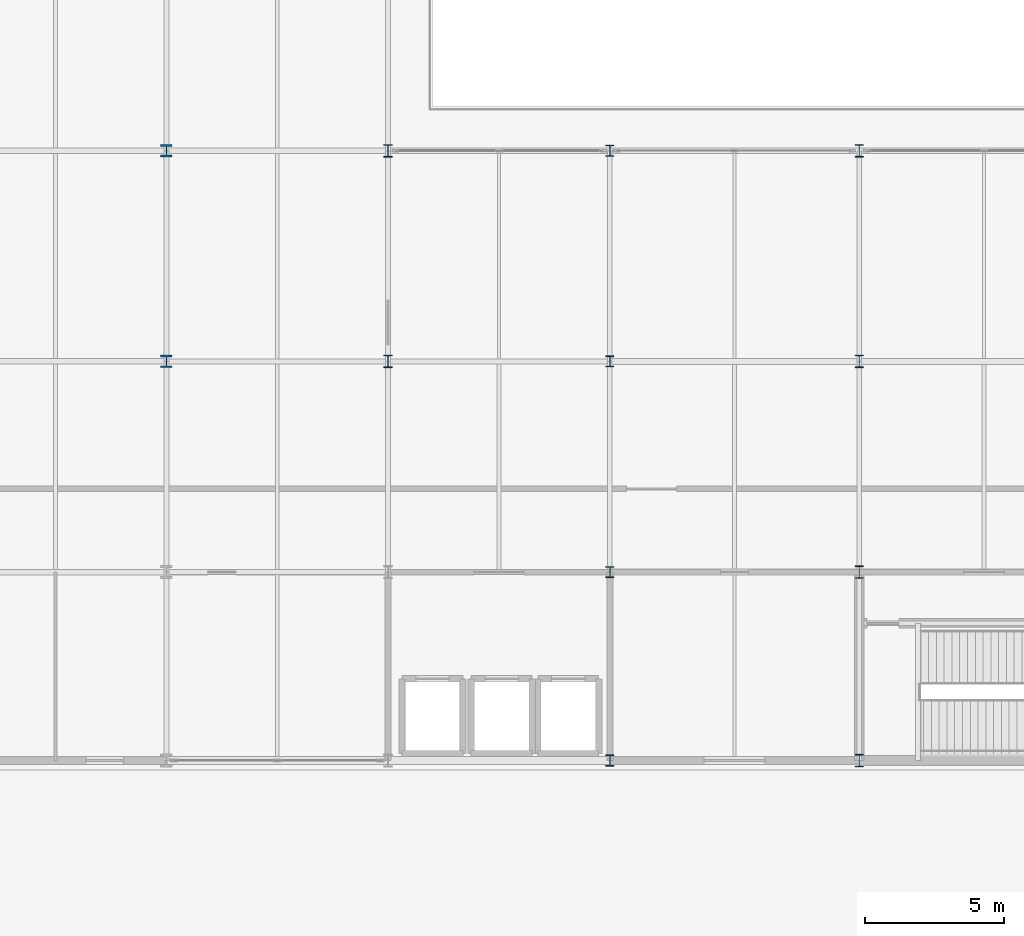
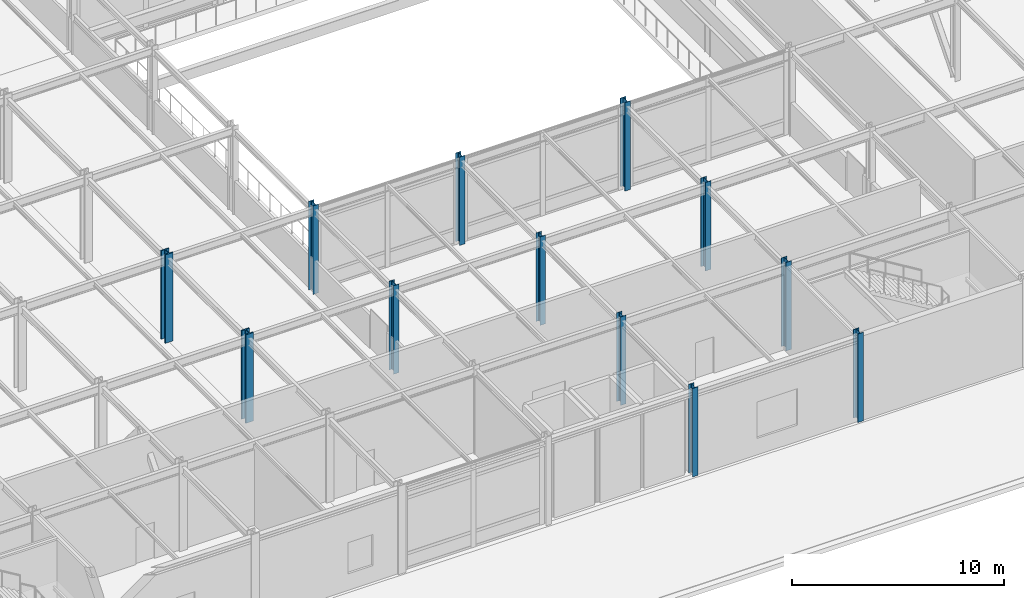
# One storey, part 6 of 113: 12 columns.
"""IFC4 building model written with IfcOpenShell, lengths in metres."""

from ifc_helpers import new_model, si_unit, direction, frame, origin, origin_2d, place, context, subcontext, project, spatial, i_section, extrude, material, material_profile, profile_set, type_object, element, save


model = new_model("IFC4")

# Units and contexts
model_context = context("Model", 3, precision=1e-05, world=origin(), true_north=direction((0.0, 1.0)))
body_context = subcontext(model_context, "Body", "Model", "MODEL_VIEW")
ifc_project = project(units=[si_unit("LENGTHUNIT", "METRE"), si_unit("AREAUNIT", "SQUARE_METRE"), si_unit("VOLUMEUNIT", "CUBIC_METRE"), si_unit("PLANEANGLEUNIT", "RADIAN"), si_unit("MASSUNIT", "GRAM", prefix="KILO")], contexts=[model_context])

# Site, building, storey
site_placement = place(None, origin())
site = spatial("IfcSite", under=ifc_project, at=site_placement, CompositionType="ELEMENT")
building_placement = place(site_placement, origin())
building = spatial("IfcBuilding", under=site, at=building_placement, Name="Shalkamar Park Central Library", CompositionType="ELEMENT")
storey_placement = place(building_placement, frame((0.0, 0.0, 5.39990234375)))
storey = spatial("IfcBuildingStorey", under=building, at=storey_placement, Name="L02", CompositionType="ELEMENT", Elevation=5.39990234375)

# Columns
ifc_material = material(Name="Steel S355", Category="steel")
ifc_material_profile_1 = material_profile(ifc_material, i_section(OverallWidth=0.41796875, OverallDepth=0.455078125, WebThickness=0.0419921875, FlangeThickness=0.067626953125, FilletRadius=0.014892578125, at=origin_2d()), Name="HD 400x551")
ifc_profile_set_1 = profile_set([ifc_material_profile_1], Name="Steel S355")
column_type_1 = type_object("IfcColumnType", Name="Column Steel HD400x551", PredefinedType="COLUMN", material=ifc_profile_set_1)
for number, where, z_axis, x_axis, name in (
    (1, (221.0, 262.800048828125, 0.0), (0.0, 0.0, 1.0), (1.0, 0.0, 0.0), "Column 14/D (L02)"),
    (2, (221.0, 270.39990234375, 0.0), (0.0, 0.0, 1.0), (1.0, 0.0, 0.0), "Column 14/E (L02)"),
):
    element("IfcColumn", number, at=place(storey_placement, frame(where, z_axis=z_axis, x_axis=x_axis)), inside=storey, type_object=column_type_1, Name=name, PredefinedType="COLUMN", context=body_context, shape_type="SweptSolid", body=[
        extrude(i_section(OverallWidth=0.41796875, OverallDepth=0.455078125, WebThickness=0.0419921875, FlangeThickness=0.067626953125, FilletRadius=0.014892578125, at=origin_2d()), origin(), (0.0, 0.0, 1.0), 5.10009765625),
    ])
ifc_material_profile_2 = material_profile(ifc_material, i_section(OverallWidth=0.300048828125, OverallDepth=0.39990234375, WebThickness=0.013427734375, FlangeThickness=0.02392578125, FilletRadius=0.027099609375, at=origin_2d()), Name="HEB 400")
ifc_profile_set_2 = profile_set([ifc_material_profile_2], Name="Steel S355")
column_type_2 = type_object("IfcColumnType", Name="Column Steel HEB400", PredefinedType="COLUMN", material=ifc_profile_set_2)
for number, where, z_axis, x_axis, name in (
    (3, (237.0, 248.39990234375, 0.0), (0.0, 0.0, 1.0), (1.0, 0.0, 0.0), "Column 16/B (L02)"),
    (4, (237.0, 255.199951171875, 0.0), (0.0, 0.0, 1.0), (1.0, 0.0, 0.0), "Column 16/C (L02)"),
    (5, (237.0, 262.800048828125, 0.0), (0.0, 0.0, 1.0), (1.0, 0.0, 0.0), "Column 16/D (L02)"),
    (6, (237.0, 270.39990234375, 0.0), (0.0, 0.0, 1.0), (1.0, 0.0, 0.0), "Column 16/E (L02)"),
):
    element("IfcColumn", number, at=place(storey_placement, frame(where, z_axis=z_axis, x_axis=x_axis)), inside=storey, type_object=column_type_2, Name=name, PredefinedType="COLUMN", context=body_context, shape_type="SweptSolid", body=[
        extrude(i_section(OverallWidth=0.300048828125, OverallDepth=0.39990234375, WebThickness=0.013427734375, FlangeThickness=0.02392578125, FilletRadius=0.027099609375, at=origin_2d()), origin(), (0.0, 0.0, 1.0), 5.10009765625),
    ])
ifc_material_profile_3 = material_profile(ifc_material, i_section(OverallWidth=0.300048828125, OverallDepth=0.449951171875, WebThickness=0.013916015625, FlangeThickness=0.02587890625, FilletRadius=0.027099609375, at=origin_2d()), Name="HEB 450")
ifc_profile_set_3 = profile_set([ifc_material_profile_3], Name="Steel S355")
column_type_3 = type_object("IfcColumnType", Name="Column Steel HEB450", PredefinedType="COLUMN", material=ifc_profile_set_3)
for number, where, z_axis, x_axis, name in (
    (7, (229.0, 262.800048828125, 0.0), (0.0, 0.0, 1.0), (1.0, 0.0, 0.0), "Column 15/D (L02)"),
    (8, (229.0, 270.39990234375, 0.0), (0.0, 0.0, 1.0), (1.0, 0.0, 0.0), "Column 15/E (L02)"),
    (9, (246.0, 248.39990234375, 0.0), (0.0, 0.0, 1.0), (1.0, 0.0, 0.0), "Column 17/B (L02)"),
    (10, (246.0, 255.199951171875, 0.0), (0.0, 0.0, 1.0), (1.0, 0.0, 0.0), "Column 17/C (L02)"),
    (11, (246.0, 262.800048828125, 0.0), (0.0, 0.0, 1.0), (1.0, 0.0, 0.0), "Column 17/D (L02)"),
    (12, (246.0, 270.39990234375, 0.0), (0.0, 0.0, 1.0), (1.0, 0.0, 0.0), "Column 17/E (L02)"),
):
    element("IfcColumn", number, at=place(storey_placement, frame(where, z_axis=z_axis, x_axis=x_axis)), inside=storey, type_object=column_type_3, Name=name, PredefinedType="COLUMN", context=body_context, shape_type="SweptSolid", body=[
        extrude(i_section(OverallWidth=0.300048828125, OverallDepth=0.449951171875, WebThickness=0.013916015625, FlangeThickness=0.02587890625, FilletRadius=0.027099609375, at=origin_2d()), origin(), (0.0, 0.0, 1.0), 5.10009765625),
    ])

save(model, "model.ifc")
